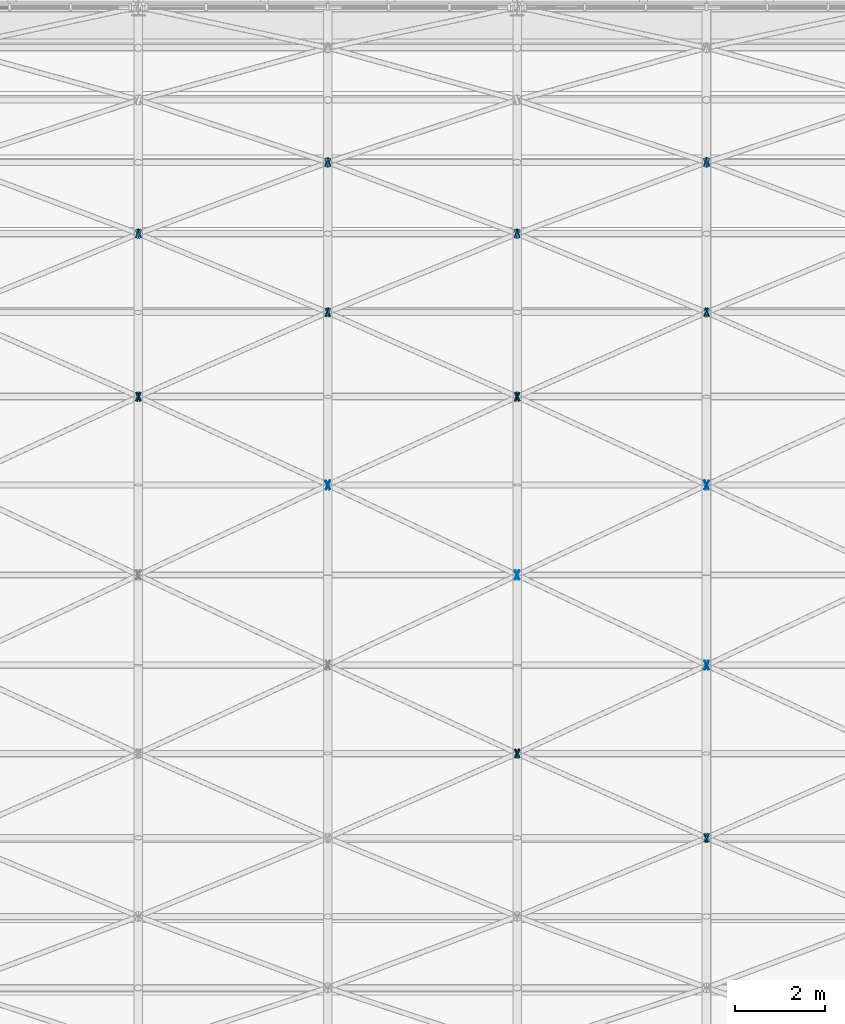
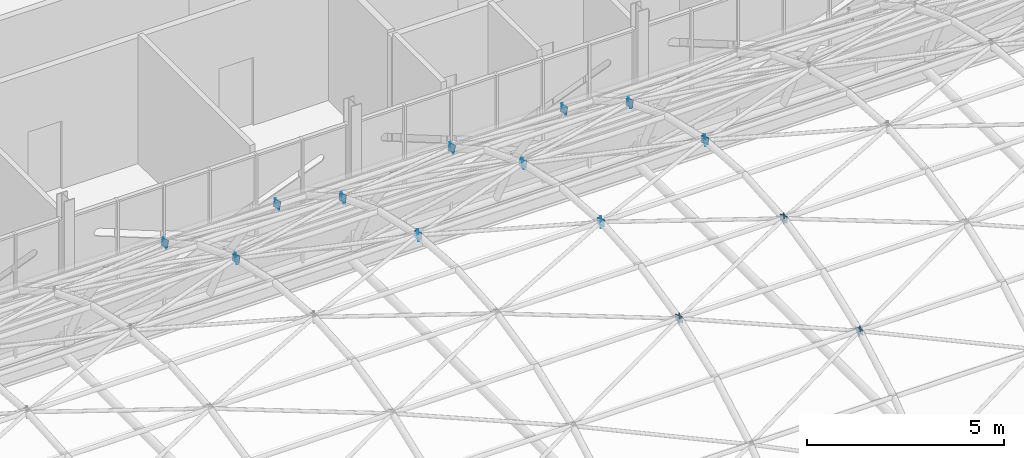
# One storey, part 109 of 121: 56 discrete accessories.
"""IFC4 building model written with IfcOpenShell, lengths in metres."""

from ifc_helpers import new_model, si_unit, direction, frame, origin, origin_2d, place, context, subcontext, project, spatial, rectangle, extrude, material, material_profile, profile_set, type_object, element, save


model = new_model("IFC4")

# Units and contexts
model_context = context("Model", 3, precision=1e-05, world=origin(), true_north=direction((0.0, 1.0)))
body_context = subcontext(model_context, "Body", "Model", "MODEL_VIEW")
ifc_project = project(units=[si_unit("LENGTHUNIT", "METRE"), si_unit("AREAUNIT", "SQUARE_METRE"), si_unit("VOLUMEUNIT", "CUBIC_METRE"), si_unit("PLANEANGLEUNIT", "RADIAN"), si_unit("MASSUNIT", "GRAM", prefix="KILO")], contexts=[model_context])

# Site, building, storey
site_placement = place(None, origin())
site = spatial("IfcSite", under=ifc_project, at=site_placement, CompositionType="ELEMENT")
building_placement = place(site_placement, origin())
building = spatial("IfcBuilding", under=site, at=building_placement, Name="Ardhachandra Cancer Care Centre", CompositionType="ELEMENT")
storey_placement = place(building_placement, frame((0.0, 0.0, 9.0)))
storey = spatial("IfcBuildingStorey", under=building, at=storey_placement, Name="L02", CompositionType="ELEMENT", Elevation=9.0)

# Discrete accessories
ifc_material = material(Name="Steel E250 (IS 2062)", Category="steel")
ifc_material_profile = material_profile(ifc_material, rectangle(XDim=0.21435546875, YDim=0.21435546875, at=origin_2d()), Name="PL 214x214x12")
ifc_profile_set = profile_set([ifc_material_profile], Name="Steel E250 (IS 2062)")
discrete_accessory_type = type_object("IfcDiscreteAccessoryType", Name="Diagonal end plate 214 x 214 x 12", PredefinedType="BRACKET", material=ifc_profile_set)
for number, where, z_axis, x_axis, name in (
    (1, (61.199951171875, 71.155517578125, 7.814208984375), (-0.897772245151, -0.428482207913, 0.102019573313), (0.430729586215, -0.902481037784, 0.0), "Diagonal end plate Hall shell diagonal 03-09 2"),
    (2, (61.199951171875, 71.155517578125, 7.814208984375), (-0.900966171356, 0.409530077889, -0.143335527261), (-0.413802944301, -0.910366477463, 0.0), "Diagonal end plate Hall shell diagonal 04-10 1"),
    (3, (61.199951171875, 74.771728515625, 6.107421875), (-0.89479701826, -0.386389621521, 0.223699254565), (0.3964360163, -0.918062353536, 0.0), "Diagonal end plate Hall shell diagonal 03-11 2"),
    (4, (61.199951171875, 74.771728515625, 6.107421875), (-0.905533836482, 0.329285031448, -0.267544088051), (-0.341743063087, -0.939793423488, 0.0), "Diagonal end plate Hall shell diagonal 04-12 1"),
    (5, (65.39990234375, 69.19921875, 8.252685546875), (-0.901722650223, -0.430367628516, 0.040987393192), (0.430729586215, -0.902481037784, 0.0), "Diagonal end plate Hall shell diagonal 04-08 2"),
    (6, (65.39990234375, 69.19921875, 8.252685546875), (-0.899458907781, 0.429287205986, -0.081768991616), (-0.430729586215, -0.902481037784, 0.0), "Diagonal end plate Hall shell diagonal 05-09 1"),
):
    element("IfcDiscreteAccessory", number, at=place(storey_placement, frame(where, z_axis=z_axis, x_axis=x_axis)), inside=storey, type_object=discrete_accessory_type, Name=name, PredefinedType="BRACKET", context=body_context, shape_type="SweptSolid", body=[
        extrude(rectangle(XDim=0.21435546875, YDim=0.21435546875, at=origin_2d()), origin(), (0.0, 0.0, 1.0), 0.011962890625),
    ])
for number, where, z_axis, x_axis, name in (
    (7, (61.199951171875, 71.155517578125, 7.814208984375), (0.901624387163, -0.420758047343, 0.100180487463), (0.422885465331, 0.906183139995, 0.0), "Diagonal end plate Hall shell diagonal 05-09 2"),
    (8, (61.199951171875, 71.155517578125, 7.814208984375), (0.904716823274, 0.4020963659, -0.140733728065), (-0.406138466053, 0.91381154862, 0.0), "Diagonal end plate Hall shell diagonal 04-10 1"),
):
    element("IfcDiscreteAccessory", number, at=place(storey_placement, frame(where, z_axis=z_axis, x_axis=x_axis)), inside=storey, type_object=discrete_accessory_type, Name=name, PredefinedType="BRACKET", context=body_context, shape_type="SweptSolid", body=[
        extrude(rectangle(XDim=0.21435546875, YDim=0.21435546875, at=origin_2d()), origin(), (0.0, 0.0, 1.0), 0.01220703125),
    ])
for number, where, z_axis, x_axis, name in (
    (9, (65.39990234375, 73.0263671875, 7.093994140625), (-0.905533836482, -0.391025974844, 0.164642515724), (0.3964360163, -0.918062353536, 0.0), "Diagonal end plate Hall shell diagonal 04-10 2"),
    (10, (65.39990234375, 73.0263671875, 7.093994140625), (-0.898708107226, 0.388078500848, -0.204251842551), (-0.3964360163, -0.918062353536, 0.0), "Diagonal end plate Hall shell diagonal 05-11 1"),
):
    element("IfcDiscreteAccessory", number, at=place(storey_placement, frame(where, z_axis=z_axis, x_axis=x_axis)), inside=storey, type_object=discrete_accessory_type, Name=name, PredefinedType="BRACKET", context=body_context, shape_type="SweptSolid", body=[
        extrude(rectangle(XDim=0.21435546875, YDim=0.21435546875, at=origin_2d()), origin(), (0.0, 0.0, 1.0), 0.011962890625),
    ])
discrete_accessory_1_placement = place(storey_placement, frame((61.199951171875, 74.771728515625, 6.107421875), z_axis=(0.898742639841, -0.3794691146, 0.219692645294), x_axis=(0.38897203704, 0.921249561411, 0.0)))
element("IfcDiscreteAccessory", 11, at=discrete_accessory_1_placement, inside=storey, type_object=discrete_accessory_type, Name="Diagonal end plate Hall shell diagonal 05-11 2", PredefinedType="BRACKET", context=body_context, shape_type="SweptSolid", body=[
    extrude(rectangle(XDim=0.21435546875, YDim=0.21435546875, at=origin_2d()), origin(), (0.0, 0.0, 1.0), 0.01220703125),
])
for number, where, z_axis, x_axis, name in (
    (12, (61.199951171875, 74.771728515625, 6.107421875), (0.909137290097, 0.323248814257, -0.262639661584), (-0.335009667655, 0.942214690279, 0.0), "Diagonal end plate Hall shell diagonal 04-12 1"),
    (13, (65.39990234375, 76.353515625, 4.8759765625), (-0.899271031245, -0.347445625708, 0.265693713777), (0.360399279202, -0.932798134406, 0.0), "Diagonal end plate Hall shell diagonal 04-12 2"),
    (14, (65.39990234375, 76.353515625, 4.8759765625), (-0.900777348936, 0.307083187137, -0.307083187137), (-0.322673927788, -0.946510188179, 0.0), "Diagonal end plate Hall shell diagonal 05-13 1"),
):
    element("IfcDiscreteAccessory", number, at=place(storey_placement, frame(where, z_axis=z_axis, x_axis=x_axis)), inside=storey, type_object=discrete_accessory_type, Name=name, PredefinedType="BRACKET", context=body_context, shape_type="SweptSolid", body=[
        extrude(rectangle(XDim=0.21435546875, YDim=0.21435546875, at=origin_2d()), origin(), (0.0, 0.0, 1.0), 0.011962890625),
    ])
for number, where, z_axis, x_axis, name in (
    (15, (69.60009765625, 63.244384765625, 7.814208984375), (-0.904716823274, -0.4020963659, -0.140733728065), (0.406138466053, -0.91381154862, 0.0), "Diagonal end plate Hall shell diagonal 05-05 2"),
    (16, (69.60009765625, 63.244384765625, 7.814208984375), (-0.901624387163, 0.420758047343, 0.100180487463), (-0.422885465331, -0.906183139995, 0.0), "Diagonal end plate Hall shell diagonal 06-06 1"),
    (17, (69.60009765625, 67.199951171875, 8.39990234375), (-0.905999460427, -0.422799748199, -0.020133321343), (0.422885465331, -0.906183139995, 0.0), "Diagonal end plate Hall shell diagonal 05-07 2"),
    (18, (69.60009765625, 67.199951171875, 8.39990234375), (-0.905999460427, 0.422799748199, -0.020133321343), (-0.422885465331, -0.906183139995, 0.0), "Diagonal end plate Hall shell diagonal 06-08 1"),
    (19, (65.39990234375, 69.19921875, 8.252685546875), (0.905449091159, -0.422542909207, 0.040242181829), (0.422885465331, 0.906183139995, 0.0), "Diagonal end plate Hall shell diagonal 06-08 2"),
    (20, (65.39990234375, 69.19921875, 8.252685546875), (0.903257601642, 0.421520214099, -0.08028956459), (-0.422885465331, 0.906183139995, 0.0), "Diagonal end plate Hall shell diagonal 05-09 1"),
    (21, (69.60009765625, 71.155517578125, 7.814208984375), (-0.901624387163, -0.420758047343, 0.100180487463), (0.422885465331, -0.906183139995, 0.0), "Diagonal end plate Hall shell diagonal 05-09 2"),
    (22, (69.60009765625, 71.155517578125, 7.814208984375), (-0.904716823274, 0.4020963659, -0.140733728065), (-0.406138466053, -0.91381154862, 0.0), "Diagonal end plate Hall shell diagonal 06-10 1"),
):
    element("IfcDiscreteAccessory", number, at=place(storey_placement, frame(where, z_axis=z_axis, x_axis=x_axis)), inside=storey, type_object=discrete_accessory_type, Name=name, PredefinedType="BRACKET", context=body_context, shape_type="SweptSolid", body=[
        extrude(rectangle(XDim=0.21435546875, YDim=0.21435546875, at=origin_2d()), origin(), (0.0, 0.0, 1.0), 0.01220703125),
    ])
discrete_accessory_2_placement = place(storey_placement, frame((65.39990234375, 73.0263671875, 7.093994140625), z_axis=(0.909137290097, -0.38385796693, 0.161624407128), x_axis=(0.38897203704, 0.921249561411, 0.0)))
element("IfcDiscreteAccessory", 23, at=discrete_accessory_2_placement, inside=storey, type_object=discrete_accessory_type, Name="Diagonal end plate Hall shell diagonal 06-10 2", PredefinedType="BRACKET", context=body_context, shape_type="SweptSolid", body=[
    extrude(rectangle(XDim=0.21435546875, YDim=0.21435546875, at=origin_2d()), origin(), (0.0, 0.0, 1.0), 0.011962890625),
])
for number, where, z_axis, x_axis, name in (
    (24, (65.39990234375, 73.0263671875, 7.093994140625), (0.902530633635, 0.381068489757, -0.20056236303), (-0.38897203704, 0.921249561411, 0.0), "Diagonal end plate Hall shell diagonal 05-11 1"),
    (25, (69.60009765625, 74.771728515625, 6.107421875), (-0.898742639841, -0.3794691146, 0.219692645294), (0.38897203704, -0.921249561411, 0.0), "Diagonal end plate Hall shell diagonal 05-11 2"),
):
    element("IfcDiscreteAccessory", number, at=place(storey_placement, frame(where, z_axis=z_axis, x_axis=x_axis)), inside=storey, type_object=discrete_accessory_type, Name=name, PredefinedType="BRACKET", context=body_context, shape_type="SweptSolid", body=[
        extrude(rectangle(XDim=0.21435546875, YDim=0.21435546875, at=origin_2d()), origin(), (0.0, 0.0, 1.0), 0.01220703125),
    ])
discrete_accessory_3_placement = place(storey_placement, frame((69.60009765625, 74.771728515625, 6.107421875), z_axis=(-0.909137290097, 0.323248814257, -0.262639661584), x_axis=(-0.335009667655, -0.942214690279, 0.0)))
element("IfcDiscreteAccessory", 26, at=discrete_accessory_3_placement, inside=storey, type_object=discrete_accessory_type, Name="Diagonal end plate Hall shell diagonal 06-12 1", PredefinedType="BRACKET", context=body_context, shape_type="SweptSolid", body=[
    extrude(rectangle(XDim=0.21435546875, YDim=0.21435546875, at=origin_2d()), origin(), (0.0, 0.0, 1.0), 0.011962890625),
])
for number, where, z_axis, x_axis, name in (
    (27, (65.39990234375, 76.353515625, 4.8759765625), (0.903075694963, -0.341161929208, 0.260888534101), (0.353400568719, 0.935472093667, 0.0), "Diagonal end plate Hall shell diagonal 06-12 2"),
    (28, (65.39990234375, 76.353515625, 4.8759765625), (0.904534033733, 0.301511344578, -0.301511344578), (-0.316227766017, 0.948683298051, 0.0), "Diagonal end plate Hall shell diagonal 05-13 1"),
):
    element("IfcDiscreteAccessory", number, at=place(storey_placement, frame(where, z_axis=z_axis, x_axis=x_axis)), inside=storey, type_object=discrete_accessory_type, Name=name, PredefinedType="BRACKET", context=body_context, shape_type="SweptSolid", body=[
        extrude(rectangle(XDim=0.21435546875, YDim=0.21435546875, at=origin_2d()), origin(), (0.0, 0.0, 1.0), 0.01220703125),
    ])
discrete_accessory_4_placement = place(storey_placement, frame((73.800048828125, 61.37353515625, 7.093994140625), z_axis=(-0.909322885136, -0.363729154054, -0.202071752252), x_axis=(0.371390676354, -0.928476690885, 0.0)))
element("IfcDiscreteAccessory", 29, at=discrete_accessory_4_placement, inside=storey, type_object=discrete_accessory_type, Name="Diagonal end plate Hall shell diagonal 06-04 2", PredefinedType="BRACKET", context=body_context, shape_type="SweptSolid", body=[
    extrude(rectangle(XDim=0.21435546875, YDim=0.21435546875, at=origin_2d()), origin(), (0.0, 0.0, 1.0), 0.011962890625),
])
discrete_accessory_5_placement = place(storey_placement, frame((73.800048828125, 61.37353515625, 7.093994140625), z_axis=(-0.901986558051, 0.400882914689, 0.160353165876), x_axis=(-0.406138466053, -0.91381154862, 0.0)))
element("IfcDiscreteAccessory", 30, at=discrete_accessory_5_placement, inside=storey, type_object=discrete_accessory_type, Name="Diagonal end plate Hall shell diagonal 07-05 1", PredefinedType="BRACKET", context=body_context, shape_type="SweptSolid", body=[
    extrude(rectangle(XDim=0.21435546875, YDim=0.21435546875, at=origin_2d()), origin(), (0.0, 0.0, 1.0), 0.01220703125),
])
for number, where, z_axis, x_axis, name in (
    (31, (69.60009765625, 63.244384765625, 7.814208984375), (0.900966171356, -0.409530077889, -0.143335527261), (0.413802944301, 0.910366477463, 0.0), "Diagonal end plate Hall shell diagonal 07-05 2"),
    (32, (69.60009765625, 63.244384765625, 7.814208984375), (0.897772245151, 0.428482207913, 0.102019573313), (-0.430729586215, 0.902481037784, 0.0), "Diagonal end plate Hall shell diagonal 06-06 1"),
):
    element("IfcDiscreteAccessory", number, at=place(storey_placement, frame(where, z_axis=z_axis, x_axis=x_axis)), inside=storey, type_object=discrete_accessory_type, Name=name, PredefinedType="BRACKET", context=body_context, shape_type="SweptSolid", body=[
        extrude(rectangle(XDim=0.21435546875, YDim=0.21435546875, at=origin_2d()), origin(), (0.0, 0.0, 1.0), 0.011962890625),
    ])
for number, where, z_axis, x_axis, name in (
    (33, (73.800048828125, 65.20068359375, 8.252685546875), (-0.903257601642, -0.421520214099, -0.08028956459), (0.422885465331, -0.906183139995, 0.0), "Diagonal end plate Hall shell diagonal 06-06 2"),
    (34, (73.800048828125, 65.20068359375, 8.252685546875), (-0.905449091159, 0.422542909207, 0.040242181829), (-0.422885465331, -0.906183139995, 0.0), "Diagonal end plate Hall shell diagonal 07-07 1"),
):
    element("IfcDiscreteAccessory", number, at=place(storey_placement, frame(where, z_axis=z_axis, x_axis=x_axis)), inside=storey, type_object=discrete_accessory_type, Name=name, PredefinedType="BRACKET", context=body_context, shape_type="SweptSolid", body=[
        extrude(rectangle(XDim=0.21435546875, YDim=0.21435546875, at=origin_2d()), origin(), (0.0, 0.0, 1.0), 0.01220703125),
    ])
for number, where, z_axis, x_axis, name in (
    (35, (69.60009765625, 67.199951171875, 8.39990234375), (0.902291261515, -0.430639011177, -0.02050661958), (0.430729586215, 0.902481037784, 0.0), "Diagonal end plate Hall shell diagonal 07-07 2"),
    (36, (69.60009765625, 67.199951171875, 8.39990234375), (0.902291261515, 0.430639011177, -0.02050661958), (-0.430729586215, 0.902481037784, 0.0), "Diagonal end plate Hall shell diagonal 06-08 1"),
):
    element("IfcDiscreteAccessory", number, at=place(storey_placement, frame(where, z_axis=z_axis, x_axis=x_axis)), inside=storey, type_object=discrete_accessory_type, Name=name, PredefinedType="BRACKET", context=body_context, shape_type="SweptSolid", body=[
        extrude(rectangle(XDim=0.21435546875, YDim=0.21435546875, at=origin_2d()), origin(), (0.0, 0.0, 1.0), 0.011962890625),
    ])
for number, where, z_axis, x_axis, name in (
    (37, (73.800048828125, 69.19921875, 8.252685546875), (-0.905449091159, -0.422542909207, 0.040242181829), (0.422885465331, -0.906183139995, 0.0), "Diagonal end plate Hall shell diagonal 06-08 2"),
    (38, (73.800048828125, 69.19921875, 8.252685546875), (-0.903257601642, 0.421520214099, -0.08028956459), (-0.422885465331, -0.906183139995, 0.0), "Diagonal end plate Hall shell diagonal 07-09 1"),
):
    element("IfcDiscreteAccessory", number, at=place(storey_placement, frame(where, z_axis=z_axis, x_axis=x_axis)), inside=storey, type_object=discrete_accessory_type, Name=name, PredefinedType="BRACKET", context=body_context, shape_type="SweptSolid", body=[
        extrude(rectangle(XDim=0.21435546875, YDim=0.21435546875, at=origin_2d()), origin(), (0.0, 0.0, 1.0), 0.01220703125),
    ])
for number, where, z_axis, x_axis, name in (
    (39, (69.60009765625, 71.155517578125, 7.814208984375), (0.897772245151, -0.428482207913, 0.102019573313), (0.430729586215, 0.902481037784, 0.0), "Diagonal end plate Hall shell diagonal 07-09 2"),
    (40, (69.60009765625, 71.155517578125, 7.814208984375), (0.900966171356, 0.409530077889, -0.143335527261), (-0.413802944301, 0.910366477463, 0.0), "Diagonal end plate Hall shell diagonal 06-10 1"),
    (41, (73.800048828125, 73.0263671875, 7.093994140625), (-0.909137290097, -0.38385796693, 0.161624407128), (0.38897203704, -0.921249561411, 0.0), "Diagonal end plate Hall shell diagonal 06-10 2"),
):
    element("IfcDiscreteAccessory", number, at=place(storey_placement, frame(where, z_axis=z_axis, x_axis=x_axis)), inside=storey, type_object=discrete_accessory_type, Name=name, PredefinedType="BRACKET", context=body_context, shape_type="SweptSolid", body=[
        extrude(rectangle(XDim=0.21435546875, YDim=0.21435546875, at=origin_2d()), origin(), (0.0, 0.0, 1.0), 0.011962890625),
    ])
discrete_accessory_6_placement = place(storey_placement, frame((73.800048828125, 73.0263671875, 7.093994140625), z_axis=(-0.902530633635, 0.381068489757, -0.20056236303), x_axis=(-0.38897203704, -0.921249561411, 0.0)))
element("IfcDiscreteAccessory", 42, at=discrete_accessory_6_placement, inside=storey, type_object=discrete_accessory_type, Name="Diagonal end plate Hall shell diagonal 07-11 1", PredefinedType="BRACKET", context=body_context, shape_type="SweptSolid", body=[
    extrude(rectangle(XDim=0.21435546875, YDim=0.21435546875, at=origin_2d()), origin(), (0.0, 0.0, 1.0), 0.01220703125),
])
for number, where, z_axis, x_axis, name in (
    (43, (69.60009765625, 74.771728515625, 6.107421875), (0.89479701826, -0.386389621521, 0.223699254565), (0.3964360163, 0.918062353536, 0.0), "Diagonal end plate Hall shell diagonal 07-11 2"),
    (44, (69.60009765625, 74.771728515625, 6.107421875), (0.905533836482, 0.329285031448, -0.267544088051), (-0.341743063087, 0.939793423488, 0.0), "Diagonal end plate Hall shell diagonal 06-12 1"),
):
    element("IfcDiscreteAccessory", number, at=place(storey_placement, frame(where, z_axis=z_axis, x_axis=x_axis)), inside=storey, type_object=discrete_accessory_type, Name=name, PredefinedType="BRACKET", context=body_context, shape_type="SweptSolid", body=[
        extrude(rectangle(XDim=0.21435546875, YDim=0.21435546875, at=origin_2d()), origin(), (0.0, 0.0, 1.0), 0.011962890625),
    ])
for number, where, z_axis, x_axis, name in (
    (45, (73.800048828125, 76.353515625, 4.8759765625), (-0.903075694963, -0.341161929208, 0.260888534101), (0.353400568719, -0.935472093667, 0.0), "Diagonal end plate Hall shell diagonal 06-12 2"),
    (46, (73.800048828125, 76.353515625, 4.8759765625), (-0.904534033733, 0.301511344578, -0.301511344578), (-0.316227766017, -0.948683298051, 0.0), "Diagonal end plate Hall shell diagonal 07-13 1"),
):
    element("IfcDiscreteAccessory", number, at=place(storey_placement, frame(where, z_axis=z_axis, x_axis=x_axis)), inside=storey, type_object=discrete_accessory_type, Name=name, PredefinedType="BRACKET", context=body_context, shape_type="SweptSolid", body=[
        extrude(rectangle(XDim=0.21435546875, YDim=0.21435546875, at=origin_2d()), origin(), (0.0, 0.0, 1.0), 0.01220703125),
    ])
for number, where, z_axis, x_axis, name in (
    (47, (73.800048828125, 61.37353515625, 7.093994140625), (0.905725666552, -0.370524136317, -0.205846742398), (0.378632845721, 0.925546956206, 0.0), "Diagonal end plate Hall shell diagonal 08-04 2"),
    (48, (73.800048828125, 61.37353515625, 7.093994140625), (0.89814623902, 0.408248290464, 0.163299316186), (-0.413802944301, 0.910366477463, 0.0), "Diagonal end plate Hall shell diagonal 07-05 1"),
    (49, (73.800048828125, 65.20068359375, 8.252685546875), (0.899458907781, -0.429287205986, -0.081768991616), (0.430729586215, 0.902481037784, 0.0), "Diagonal end plate Hall shell diagonal 08-06 2"),
    (50, (73.800048828125, 65.20068359375, 8.252685546875), (0.901722650223, 0.430367628516, 0.040987393192), (-0.430729586215, 0.902481037784, 0.0), "Diagonal end plate Hall shell diagonal 07-07 1"),
    (51, (73.800048828125, 69.19921875, 8.252685546875), (0.901722650223, -0.430367628516, 0.040987393192), (0.430729586215, 0.902481037784, 0.0), "Diagonal end plate Hall shell diagonal 08-08 2"),
    (52, (73.800048828125, 69.19921875, 8.252685546875), (0.899458907781, 0.429287205986, -0.081768991616), (-0.430729586215, 0.902481037784, 0.0), "Diagonal end plate Hall shell diagonal 07-09 1"),
    (53, (73.800048828125, 73.0263671875, 7.093994140625), (0.905533836482, -0.391025974844, 0.164642515724), (0.3964360163, 0.918062353536, 0.0), "Diagonal end plate Hall shell diagonal 08-10 2"),
    (54, (73.800048828125, 73.0263671875, 7.093994140625), (0.898708107226, 0.388078500848, -0.204251842551), (-0.3964360163, 0.918062353536, 0.0), "Diagonal end plate Hall shell diagonal 07-11 1"),
    (55, (73.800048828125, 76.353515625, 4.8759765625), (0.899271031245, -0.347445625708, 0.265693713777), (0.360399279202, 0.932798134406, 0.0), "Diagonal end plate Hall shell diagonal 08-12 2"),
    (56, (73.800048828125, 76.353515625, 4.8759765625), (0.900777348936, 0.307083187137, -0.307083187137), (-0.322673927788, 0.946510188179, 0.0), "Diagonal end plate Hall shell diagonal 07-13 1"),
):
    element("IfcDiscreteAccessory", number, at=place(storey_placement, frame(where, z_axis=z_axis, x_axis=x_axis)), inside=storey, type_object=discrete_accessory_type, Name=name, PredefinedType="BRACKET", context=body_context, shape_type="SweptSolid", body=[
        extrude(rectangle(XDim=0.21435546875, YDim=0.21435546875, at=origin_2d()), origin(), (0.0, 0.0, 1.0), 0.011962890625),
    ])

save(model, "model.ifc")
